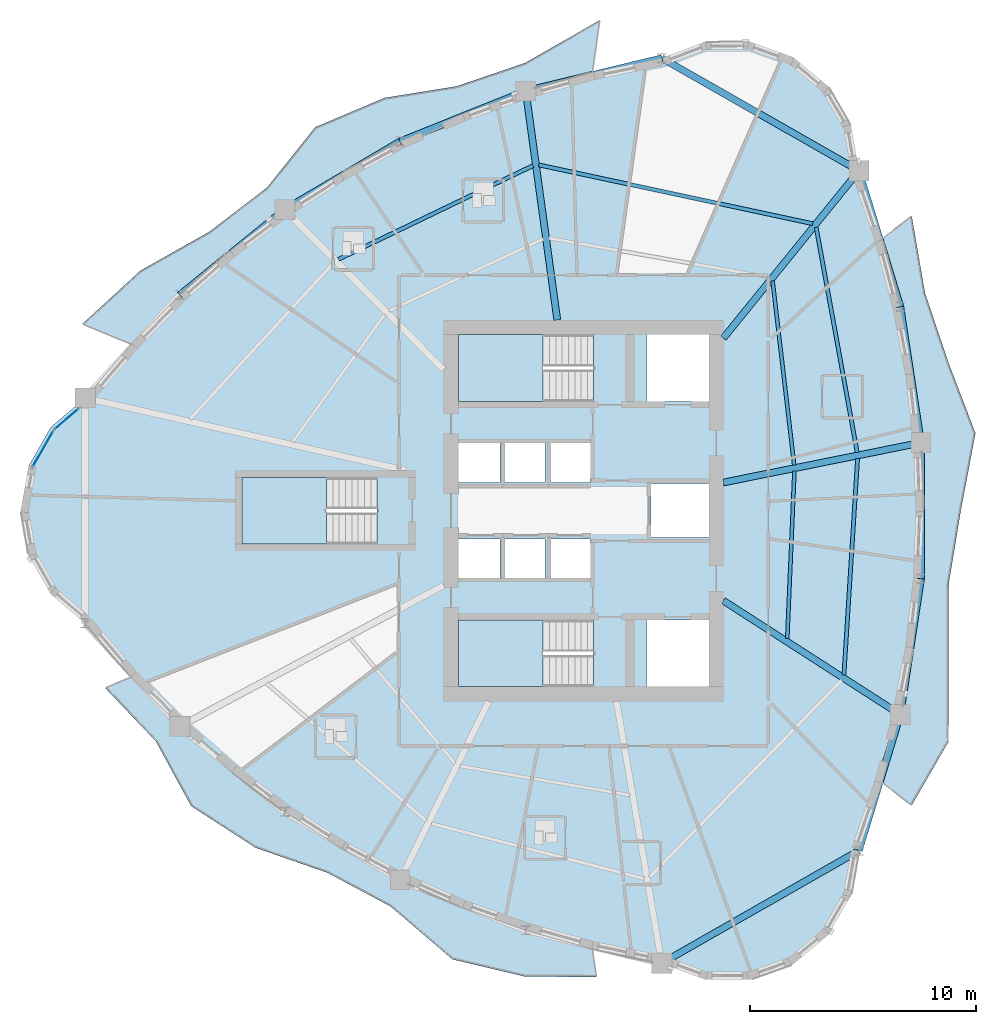
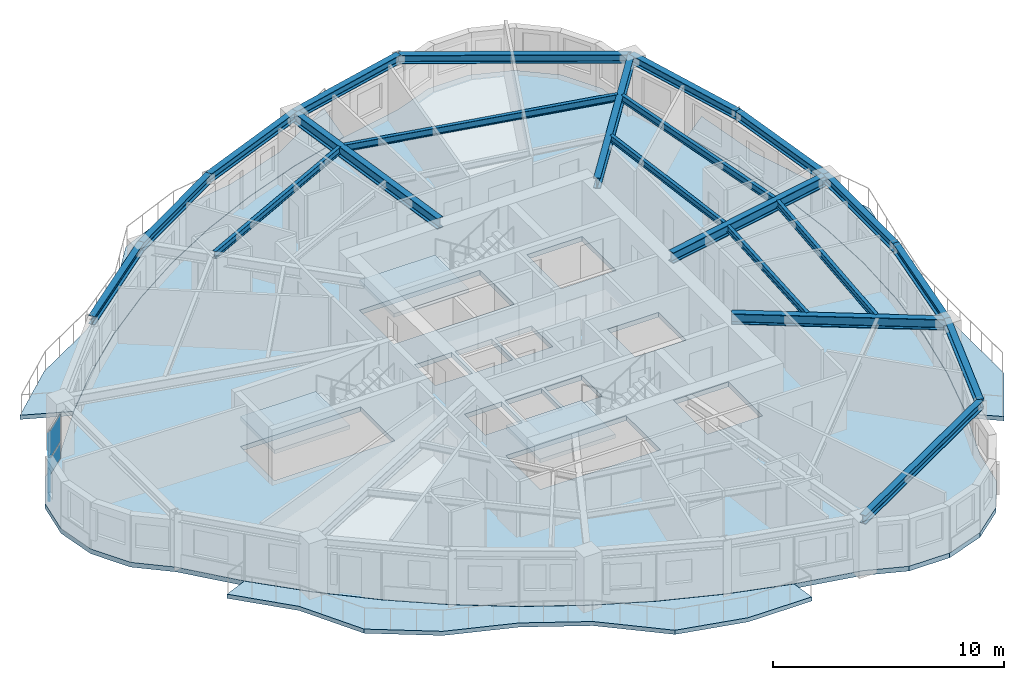
# One storey, part 3 of 14: 21 beams, 7 slabs, 4 plates, 5 elements without a shape of their own.
"""IFC4 building model written with IfcOpenShell, lengths in metres."""

from ifc_helpers import new_model, si_unit, direction, frame, origin, origin_2d, place, context, subcontext, project, spatial, polyline, rectangle, i_section, outline, extrude, source, transform, mapped, material, layer, layer_set, material_profile, profile_set, type_object, element, aggregate, save


model = new_model("IFC4")

# Units and contexts
model_context = context("Model", 3, precision=1e-05, world=origin(), true_north=direction((0.0, 1.0)))
body_context = subcontext(model_context, "Body", "Model", "MODEL_VIEW")
ifc_project = project(units=[si_unit("LENGTHUNIT", "METRE"), si_unit("AREAUNIT", "SQUARE_METRE"), si_unit("VOLUMEUNIT", "CUBIC_METRE"), si_unit("PLANEANGLEUNIT", "RADIAN"), si_unit("MASSUNIT", "GRAM", prefix="KILO")], contexts=[model_context])

# Site, building, storey
site_placement = place(None, origin())
site = spatial("IfcSite", under=ifc_project, at=site_placement, CompositionType="ELEMENT")
building_placement = place(site_placement, origin())
building = spatial("IfcBuilding", under=site, at=building_placement, Name="Qafzar Sky-Pleat Residences", CompositionType="ELEMENT")
storey_placement = place(building_placement, frame((0.0, 0.0, 73.60009765625)))
storey = spatial("IfcBuildingStorey", under=building, at=storey_placement, Name="L21", CompositionType="ELEMENT", Elevation=73.60009765625)

# Beams
ifc_material_1 = material(Name="Steel S355", Category="steel")
ifc_material_profile_1 = material_profile(ifc_material_1, i_section(OverallWidth=0.300048828125, OverallDepth=0.449951171875, WebThickness=0.013916015625, FlangeThickness=0.02587890625, FilletRadius=0.027099609375, at=origin_2d()), Name="HEB 450")
ifc_profile_set_1 = profile_set([ifc_material_profile_1], Name="Steel S355")
beam_type_1 = type_object("IfcBeamType", Name="BM-SPAN-HEB450", PredefinedType="SPANDREL", material=ifc_profile_set_1)
shared_shape_1 = source(origin(), body_context, "Body", "SweptSolid", [
    extrude(i_section(OverallWidth=0.300048828125, OverallDepth=0.449951171875, WebThickness=0.013916015625, FlangeThickness=0.02587890625, FilletRadius=0.027099609375, at=origin_2d()), origin(), (0.0, 0.0, 1.0), 6.002197265625),
])
for number, where, z_axis, x_axis, name in (
    (1, (27.786865234375, 44.60400390625, 2.722900390625), (-0.927979334947, -0.372631659834, 0.0), (0.372631659834, -0.927979334947, 0.0), "L21 Perimeter Spandrel Beam 15"),
    (2, (17.105224609375, 39.354248046875, 2.722900390625), (-0.775354482876, -0.631526266978, 0.0), (0.631526266978, -0.775354482876, 0.0), "L21 Perimeter Spandrel Beam 17"),
):
    element("IfcBeam", number, at=place(storey_placement, frame(where, z_axis=z_axis, x_axis=x_axis)), inside=storey, type_object=beam_type_1, Name=name, PredefinedType="SPANDREL", context=body_context, shape_type="MappedRepresentation", body=[
        mapped(shared_shape_1, transform((0.0, 0.0, 0.0), x_axis=(1.0, 0.0, 0.0), y_axis=(0.0, 1.0, 0.0), z_axis=(0.0, 0.0, 1.0), scale=1.0)),
    ])
shared_shape_2 = source(origin(), body_context, "Body", "SweptSolid", [
    extrude(i_section(OverallWidth=0.300048828125, OverallDepth=0.449951171875, WebThickness=0.013916015625, FlangeThickness=0.02587890625, FilletRadius=0.027099609375, at=origin_2d()), origin(), (0.0, 0.0, 1.0), 5.933837890625),
])
beam_1_placement = place(storey_placement, frame((22.217041015625, 42.367431640625, 2.722900390625), z_axis=(-0.861474825081, -0.507800281362, 0.0), x_axis=(0.507800281362, -0.861474825081, 0.0)))
element("IfcBeam", 3, at=beam_1_placement, inside=storey, type_object=beam_type_1, Name="L21 Perimeter Spandrel Beam 16", PredefinedType="SPANDREL", context=body_context, shape_type="MappedRepresentation", body=[
    mapped(shared_shape_2, transform((0.0, 0.0, 0.0), x_axis=(1.0, 0.0, 0.0), y_axis=(0.0, 1.0, 0.0), z_axis=(0.0, 0.0, 1.0), scale=1.0)),
])
shared_shape_3 = source(origin(), body_context, "Body", "SweptSolid", [
    extrude(i_section(OverallWidth=0.300048828125, OverallDepth=0.449951171875, WebThickness=0.013916015625, FlangeThickness=0.02587890625, FilletRadius=0.027099609375, at=origin_2d()), origin(), (0.0, 0.0, 1.0), 6.201904296875),
])
beam_2_placement = place(storey_placement, frame((33.814697265625, 46.063232421875, 2.722900390625), z_axis=(-0.971926258737, -0.235285672275, 0.0), x_axis=(0.235285672275, -0.971926258737, 0.0)))
element("IfcBeam", 4, at=beam_2_placement, inside=storey, type_object=beam_type_1, Name="L21 Perimeter Spandrel Beam 14", PredefinedType="SPANDREL", context=body_context, shape_type="MappedRepresentation", body=[
    mapped(shared_shape_3, transform((0.0, 0.0, 0.0), x_axis=(1.0, 0.0, 0.0), y_axis=(0.0, 1.0, 0.0), z_axis=(0.0, 0.0, 1.0), scale=1.0)),
])
shared_shape_4 = source(origin(), body_context, "Body", "SweptSolid", [
    extrude(i_section(OverallWidth=0.300048828125, OverallDepth=0.449951171875, WebThickness=0.013916015625, FlangeThickness=0.02587890625, FilletRadius=0.027099609375, at=origin_2d()), origin(), (0.0, 0.0, 1.0), 10.072021484375),
])
for number, where, z_axis, x_axis, name in (
    (5, (33.814697265625, 5.936767578125, 2.722900390625), (0.868286397172, 0.496063234363, 0.0), (-0.496063234363, 0.868286397172, 0.0), "L21 Perimeter Spandrel Beam 7"),
    (6, (42.56005859375, 41.06689453125, 2.722900390625), (-0.868286397172, 0.496063234363, 0.0), (-0.496063234363, -0.868286397172, 0.0), "L21 Perimeter Spandrel Beam 13"),
):
    element("IfcBeam", number, at=place(storey_placement, frame(where, z_axis=z_axis, x_axis=x_axis)), inside=storey, type_object=beam_type_1, Name=name, PredefinedType="SPANDREL", context=body_context, shape_type="MappedRepresentation", body=[
        mapped(shared_shape_4, transform((0.0, 0.0, 0.0), x_axis=(1.0, 0.0, 0.0), y_axis=(0.0, 1.0, 0.0), z_axis=(0.0, 0.0, 1.0), scale=1.0)),
    ])
shared_shape_5 = source(origin(), body_context, "Body", "SweptSolid", [
    extrude(i_section(OverallWidth=0.300048828125, OverallDepth=0.449951171875, WebThickness=0.013916015625, FlangeThickness=0.02587890625, FilletRadius=0.027099609375, at=origin_2d()), origin(), (0.0, 0.0, 1.0), 6.299072265625),
])
for number, where, z_axis, x_axis, name in (
    (7, (42.56005859375, 10.93310546875, 2.722900390625), (0.290837724263, 0.956772396208, 0.0), (-0.956772396208, 0.290837724263, 0.0), "L21 Perimeter Spandrel Beam 8"),
    (8, (44.39208984375, 35.0400390625, 2.722900390625), (-0.290837724263, 0.956772396208, 0.0), (-0.956772396208, -0.290837724263, 0.0), "L21 Perimeter Spandrel Beam 12"),
):
    element("IfcBeam", number, at=place(storey_placement, frame(where, z_axis=z_axis, x_axis=x_axis)), inside=storey, type_object=beam_type_1, Name=name, PredefinedType="SPANDREL", context=body_context, shape_type="MappedRepresentation", body=[
        mapped(shared_shape_5, transform((0.0, 0.0, 0.0), x_axis=(1.0, 0.0, 0.0), y_axis=(0.0, 1.0, 0.0), z_axis=(0.0, 0.0, 1.0), scale=1.0)),
    ])
shared_shape_6 = source(origin(), body_context, "Body", "SweptSolid", [
    extrude(i_section(OverallWidth=0.300048828125, OverallDepth=0.449951171875, WebThickness=0.013916015625, FlangeThickness=0.02587890625, FilletRadius=0.027099609375, at=origin_2d()), origin(), (0.0, 0.0, 1.0), 6.095947265625),
])
for number, where, z_axis, x_axis, name in (
    (9, (44.39208984375, 16.9599609375, 2.722900390625), (0.150269250575, 0.988645109395, 0.0), (-0.988645109395, 0.150269250575, 0.0), "L21 Perimeter Spandrel Beam 9"),
    (10, (45.30810546875, 29.013427734375, 2.722900390625), (-0.150269250575, 0.988645109395, 0.0), (-0.988645109395, -0.150269250575, 0.0), "L21 Perimeter Spandrel Beam 11"),
):
    element("IfcBeam", number, at=place(storey_placement, frame(where, z_axis=z_axis, x_axis=x_axis)), inside=storey, type_object=beam_type_1, Name=name, PredefinedType="SPANDREL", context=body_context, shape_type="MappedRepresentation", body=[
        mapped(shared_shape_6, transform((0.0, 0.0, 0.0), x_axis=(1.0, 0.0, 0.0), y_axis=(0.0, 1.0, 0.0), z_axis=(0.0, 0.0, 1.0), scale=1.0)),
    ])
shared_shape_7 = source(origin(), body_context, "Body", "SweptSolid", [
    extrude(i_section(OverallWidth=0.300048828125, OverallDepth=0.449951171875, WebThickness=0.013916015625, FlangeThickness=0.02587890625, FilletRadius=0.027099609375, at=origin_2d()), origin(), (0.0, 0.0, 1.0), 6.02685546875),
])
beam_3_placement = place(storey_placement, frame((45.30810546875, 22.986572265625, 2.722900390625), z_axis=(0.0, 1.0, 0.0), x_axis=(-1.0, 0.0, 0.0)))
element("IfcBeam", 11, at=beam_3_placement, inside=storey, type_object=beam_type_1, Name="L21 Perimeter Spandrel Beam 10", PredefinedType="SPANDREL", context=body_context, shape_type="MappedRepresentation", body=[
    mapped(shared_shape_7, transform((0.0, 0.0, 0.0), x_axis=(1.0, 0.0, 0.0), y_axis=(0.0, 1.0, 0.0), z_axis=(0.0, 0.0, 1.0), scale=1.0)),
])
ifc_material_profile_2 = material_profile(ifc_material_1, i_section(OverallWidth=0.300048828125, OverallDepth=0.550048828125, WebThickness=0.014892578125, FlangeThickness=0.029052734375, FilletRadius=0.027099609375, at=origin_2d()), Name="HEB 550")
ifc_profile_set_2 = profile_set([ifc_material_profile_2], Name="Steel S355")
beam_type_2 = type_object("IfcBeamType", Name="BM-GIRD-HEB550", PredefinedType="BEAM", material=ifc_profile_set_2)
shared_shape_8 = source(origin(), body_context, "Body", "SweptSolid", [
    extrude(i_section(OverallWidth=0.300048828125, OverallDepth=0.550048828125, WebThickness=0.014892578125, FlangeThickness=0.029052734375, FilletRadius=0.027099609375, at=origin_2d()), origin(), (0.0, 0.0, 1.0), 9.32666015625),
])
beam_4_placement = place(storey_placement, frame((44.39208984375, 16.9599609375, 2.6728515625), z_axis=(-0.840823632468, 0.541309171439, 0.0), x_axis=(-0.541309171439, -0.840823632468, 0.0)))
element("IfcBeam", 12, at=beam_4_placement, inside=storey, type_object=beam_type_2, Name="L21 Radial Floor Girder 9", PredefinedType="BEAM", context=body_context, shape_type="MappedRepresentation", body=[
    mapped(shared_shape_8, transform((0.0, 0.0, 0.0), x_axis=(1.0, 0.0, 0.0), y_axis=(0.0, 1.0, 0.0), z_axis=(0.0, 0.0, 1.0), scale=1.0)),
])
shared_shape_9 = source(origin(), body_context, "Body", "SweptSolid", [
    extrude(i_section(OverallWidth=0.300048828125, OverallDepth=0.550048828125, WebThickness=0.014892578125, FlangeThickness=0.029052734375, FilletRadius=0.027099609375, at=origin_2d()), origin(), (0.0, 0.0, 1.0), 8.93408203125),
])
beam_5_placement = place(storey_placement, frame((45.30810546875, 29.013427734375, 2.6728515625), z_axis=(-0.980304336159, -0.197492806217, 0.0), x_axis=(0.197492806217, -0.980304336159, 0.0)))
element("IfcBeam", 13, at=beam_5_placement, inside=storey, type_object=beam_type_2, Name="L21 Radial Floor Girder 11", PredefinedType="BEAM", context=body_context, shape_type="MappedRepresentation", body=[
    mapped(shared_shape_9, transform((0.0, 0.0, 0.0), x_axis=(1.0, 0.0, 0.0), y_axis=(0.0, 1.0, 0.0), z_axis=(0.0, 0.0, 1.0), scale=1.0)),
])
shared_shape_10 = source(origin(), body_context, "Body", "SweptSolid", [
    extrude(i_section(OverallWidth=0.300048828125, OverallDepth=0.550048828125, WebThickness=0.014892578125, FlangeThickness=0.029052734375, FilletRadius=0.027099609375, at=origin_2d()), origin(), (0.0, 0.0, 1.0), 9.545654296875),
])
beam_6_placement = place(storey_placement, frame((42.56005859375, 41.06689453125, 2.6728515625), z_axis=(-0.629601331926, -0.776918375916, 0.0), x_axis=(0.776918375916, -0.629601331926, 0.0)))
element("IfcBeam", 14, at=beam_6_placement, inside=storey, type_object=beam_type_2, Name="L21 Radial Floor Girder 13", PredefinedType="BEAM", context=body_context, shape_type="MappedRepresentation", body=[
    mapped(shared_shape_10, transform((0.0, 0.0, 0.0), x_axis=(1.0, 0.0, 0.0), y_axis=(0.0, 1.0, 0.0), z_axis=(0.0, 0.0, 1.0), scale=1.0)),
])
shared_shape_11 = source(origin(), body_context, "Body", "SweptSolid", [
    extrude(i_section(OverallWidth=0.300048828125, OverallDepth=0.550048828125, WebThickness=0.014892578125, FlangeThickness=0.029052734375, FilletRadius=0.027099609375, at=origin_2d()), origin(), (0.0, 0.0, 1.0), 10.25),
])
beam_7_placement = place(storey_placement, frame((27.786865234375, 44.60400390625, 2.6728515625), z_axis=(0.136481031504, -0.990642684342, 0.0), x_axis=(0.990642684342, 0.136481031504, 0.0)))
element("IfcBeam", 15, at=beam_7_placement, inside=storey, type_object=beam_type_2, Name="L21 Radial Floor Girder 15", PredefinedType="BEAM", context=body_context, shape_type="MappedRepresentation", body=[
    mapped(shared_shape_11, transform((0.0, 0.0, 0.0), x_axis=(1.0, 0.0, 0.0), y_axis=(0.0, 1.0, 0.0), z_axis=(0.0, 0.0, 1.0), scale=1.0)),
])
ifc_material_profile_3 = material_profile(ifc_material_1, i_section(OverallWidth=0.169921875, OverallDepth=0.360107421875, WebThickness=0.008056640625, FlangeThickness=0.0126953125, FilletRadius=0.01806640625, at=origin_2d()), Name="IPE 360")
ifc_profile_set_3 = profile_set([ifc_material_profile_3], Name="Steel S355")
beam_type_3 = type_object("IfcBeamType", Name="BM-JST-IPE360", PredefinedType="JOIST", material=ifc_profile_set_3)
shared_shape_12 = source(origin(), body_context, "Body", "SweptSolid", [
    extrude(i_section(OverallWidth=0.169921875, OverallDepth=0.360107421875, WebThickness=0.008056640625, FlangeThickness=0.0126953125, FilletRadius=0.01806640625, at=origin_2d()), origin(), (0.0, 0.0, 1.0), 9.623046875),
])
beam_8_placement = place(storey_placement, frame((41.89111328125, 18.710205078125, 2.767822265625), z_axis=(0.062968997663, 0.998015483514, 0.0), x_axis=(-0.998015483514, 0.062968997663, 0.0)))
element("IfcBeam", 16, at=beam_8_placement, inside=storey, type_object=beam_type_3, Name="L21 Outer Secondary Floor Joist 5", PredefinedType="JOIST", context=body_context, shape_type="MappedRepresentation", body=[
    mapped(shared_shape_12, transform((0.0, 0.0, 0.0), x_axis=(1.0, 0.0, 0.0), y_axis=(0.0, 1.0, 0.0), z_axis=(0.0, 0.0, 1.0), scale=1.0)),
])
shared_shape_13 = source(origin(), body_context, "Body", "SweptSolid", [
    extrude(i_section(OverallWidth=0.169921875, OverallDepth=0.360107421875, WebThickness=0.008056640625, FlangeThickness=0.0126953125, FilletRadius=0.01806640625, at=origin_2d()), origin(), (0.0, 0.0, 1.0), 10.14404296875),
])
beam_9_placement = place(storey_placement, frame((42.4814453125, 28.58154296875, 2.767822265625), z_axis=(-0.179472078166, 0.983763067592, 0.0), x_axis=(-0.983763067592, -0.179472078166, 0.0)))
element("IfcBeam", 17, at=beam_9_placement, inside=storey, type_object=beam_type_3, Name="L21 Outer Secondary Floor Joist 6", PredefinedType="JOIST", context=body_context, shape_type="MappedRepresentation", body=[
    mapped(shared_shape_13, transform((0.0, 0.0, 0.0), x_axis=(1.0, 0.0, 0.0), y_axis=(0.0, 1.0, 0.0), z_axis=(0.0, 0.0, 1.0), scale=1.0)),
])
shared_shape_14 = source(origin(), body_context, "Body", "SweptSolid", [
    extrude(i_section(OverallWidth=0.169921875, OverallDepth=0.360107421875, WebThickness=0.008056640625, FlangeThickness=0.0126953125, FilletRadius=0.01806640625, at=origin_2d()), origin(), (0.0, 0.0, 1.0), 12.414794921875),
])
beam_10_placement = place(storey_placement, frame((40.5048828125, 38.721923828125, 2.767822265625), z_axis=(-0.977746260542, 0.209790967386, 0.0), x_axis=(-0.209790967386, -0.977746260542, 0.0)))
element("IfcBeam", 18, at=beam_10_placement, inside=storey, type_object=beam_type_3, Name="L21 Outer Secondary Floor Joist 7", PredefinedType="JOIST", context=body_context, shape_type="MappedRepresentation", body=[
    mapped(shared_shape_14, transform((0.0, 0.0, 0.0), x_axis=(1.0, 0.0, 0.0), y_axis=(0.0, 1.0, 0.0), z_axis=(0.0, 0.0, 1.0), scale=1.0)),
])
shared_shape_15 = source(origin(), body_context, "Body", "SweptSolid", [
    extrude(i_section(OverallWidth=0.169921875, OverallDepth=0.360107421875, WebThickness=0.008056640625, FlangeThickness=0.0126953125, FilletRadius=0.01806640625, at=origin_2d()), origin(), (0.0, 0.0, 1.0), 9.580078125),
])
beam_11_placement = place(storey_placement, frame((28.11279296875, 41.296142578125, 2.767822265625), z_axis=(-0.900989494941, -0.433840904027, 0.0), x_axis=(0.433840904027, -0.900989494941, 0.0)))
element("IfcBeam", 19, at=beam_11_placement, inside=storey, type_object=beam_type_3, Name="L21 Outer Secondary Floor Joist 8", PredefinedType="JOIST", context=body_context, shape_type="MappedRepresentation", body=[
    mapped(shared_shape_15, transform((0.0, 0.0, 0.0), x_axis=(1.0, 0.0, 0.0), y_axis=(0.0, 1.0, 0.0), z_axis=(0.0, 0.0, 1.0), scale=1.0)),
])
ifc_material_profile_4 = material_profile(ifc_material_1, i_section(OverallWidth=0.159912109375, OverallDepth=0.330078125, WebThickness=0.007568359375, FlangeThickness=0.011474609375, FilletRadius=0.01806640625, at=origin_2d()), Name="IPE 330")
ifc_profile_set_4 = profile_set([ifc_material_profile_4], Name="Steel S355")
beam_type_4 = type_object("IfcBeamType", Name="BM-JST-IPE330", PredefinedType="JOIST", material=ifc_profile_set_4)
shared_shape_16 = source(origin(), body_context, "Body", "SweptSolid", [
    extrude(i_section(OverallWidth=0.159912109375, OverallDepth=0.330078125, WebThickness=0.007568359375, FlangeThickness=0.011474609375, FilletRadius=0.01806640625, at=origin_2d()), origin(), (0.0, 0.0, 1.0), 7.43017578125),
])
beam_12_placement = place(storey_placement, frame((39.37890625, 20.325927734375, 2.782958984375), z_axis=(0.042846887856, 0.999081650418, 0.0), x_axis=(-0.999081650418, 0.042846887856, 0.0)))
element("IfcBeam", 20, at=beam_12_placement, inside=storey, type_object=beam_type_4, Name="L21 Inner Secondary Floor Joist 5", PredefinedType="JOIST", context=body_context, shape_type="MappedRepresentation", body=[
    mapped(shared_shape_16, transform((0.0, 0.0, 0.0), x_axis=(1.0, 0.0, 0.0), y_axis=(0.0, 1.0, 0.0), z_axis=(0.0, 0.0, 1.0), scale=1.0)),
])
shared_shape_17 = source(origin(), body_context, "Body", "SweptSolid", [
    extrude(i_section(OverallWidth=0.159912109375, OverallDepth=0.330078125, WebThickness=0.007568359375, FlangeThickness=0.011474609375, FilletRadius=0.01806640625, at=origin_2d()), origin(), (0.0, 0.0, 1.0), 8.223876953125),
])
beam_13_placement = place(storey_placement, frame((39.687255859375, 28.018310546875, 2.782958984375), z_axis=(-0.116489865453, 0.993191880377, 0.0), x_axis=(-0.993191880377, -0.116489865453, 0.0)))
element("IfcBeam", 21, at=beam_13_placement, inside=storey, type_object=beam_type_4, Name="L21 Inner Secondary Floor Joist 6", PredefinedType="JOIST", context=body_context, shape_type="MappedRepresentation", body=[
    mapped(shared_shape_17, transform((0.0, 0.0, 0.0), x_axis=(1.0, 0.0, 0.0), y_axis=(0.0, 1.0, 0.0), z_axis=(0.0, 0.0, 1.0), scale=1.0)),
])

# Slabs
ifc_material_2 = material(Name="Concrete C40/50", Category="concrete")
ifc_layer_1 = layer(ifc_material_2, 0.219970703125)
ifc_layer_set_1 = layer_set([ifc_layer_1], Name="Concrete C40/50")
slab_type_1 = type_object("IfcSlabType", Name="SLAB-BAL-220", PredefinedType="USERDEFINED", material=ifc_layer_set_1)
slab_1_placement = place(storey_placement, frame((0.0, 0.0, -0.22021484375)))
element("IfcSlab", 22, at=slab_1_placement, inside=storey, type_object=slab_type_1, Name="L21 Pleated Stone Balcony 1", ObjectType="BALCONY", PredefinedType="USERDEFINED", context=body_context, shape_type="SweptSolid", body=[
    extrude(outline(polyline([(44.402587890625, 16.9541015625), (44.97607421875, 19.96923828125), (45.320068359375, 22.984619140625), (45.434814453125, 26.0), (45.320068359375, 29.015380859375), (44.97607421875, 32.03076171875), (44.402587890625, 35.0458984375), (43.60009765625, 38.060791015625), (44.89599609375, 39.062744140625), (45.48681640625, 35.643798828125), (46.51953125, 32.5791015625), (47.721923828125, 29.43359375), (47.07275390625, 26.0), (46.539794921875, 22.772216796875), (46.51953125, 19.4208984375), (46.53759765625, 15.776611328125), (44.89599609375, 12.937255859375), (43.60009765625, 13.939208984375), (44.402587890625, 16.9541015625)])), origin(), (0.0, 0.0, 1.0), 0.22021484375),
])
slab_2_placement = place(storey_placement, frame((0.0, 0.0, -0.22021484375)))
element("IfcSlab", 23, at=slab_2_placement, inside=storey, type_object=slab_type_1, Name="L21 Pleated Stone Balcony 2", ObjectType="BALCONY", PredefinedType="USERDEFINED", context=body_context, shape_type="SweptSolid", body=[
    extrude(outline(polyline([(27.78662109375, 44.615966796875), (24.9423828125, 43.594482421875), (22.212890625, 42.37890625), (19.597900390625, 40.968505859375), (17.09765625, 39.363525390625), (14.7119140625, 37.56396484375), (12.44140625, 35.570068359375), (10.285400390625, 33.3818359375), (8.1337890625, 34.278564453125), (10.705322265625, 36.6376953125), (13.7783203125, 38.376708984375), (16.31494140625, 40.32275390625), (18.457275390625, 43.0009765625), (21.5341796875, 44.30029296875), (24.730712890625, 44.814208984375), (27.7724609375, 45.853759765625), (31.07080078125, 47.75048828125), (30.7451171875, 45.442626953125), (27.78662109375, 44.615966796875)])), origin(), (0.0, 0.0, 1.0), 0.22021484375),
])
slab_3_placement = place(storey_placement, frame((0.0, 0.0, -0.22021484375)))
element("IfcSlab", 24, at=slab_3_placement, inside=storey, type_object=slab_type_1, Name="L21 Pleated Stone Balcony 3", ObjectType="BALCONY", PredefinedType="USERDEFINED", context=body_context, shape_type="SweptSolid", body=[
    extrude(outline(polyline([(12.44140625, 16.429931640625), (14.7119140625, 14.43603515625), (17.09765625, 12.636474609375), (19.597900390625, 11.031494140625), (22.212890625, 9.62109375), (24.9423828125, 8.405517578125), (27.78662109375, 7.384033203125), (30.7451171875, 6.557373046875), (30.918212890625, 5.33154296875), (27.76318359375, 5.34619140625), (24.54345703125, 6.10888671875), (21.800537109375, 8.453857421875), (18.9921875, 9.951904296875), (15.809326171875, 11.057373046875), (12.953857421875, 12.906005859375), (11.38671875, 15.78125), (9.142578125, 18.141845703125), (10.285400390625, 18.6181640625), (12.44140625, 16.429931640625)])), origin(), (0.0, 0.0, 1.0), 0.22021484375),
])
ifc_layer_2 = layer(ifc_material_2, 0.25)
ifc_layer_set_2 = layer_set([ifc_layer_2], Name="Concrete C40/50")
slab_type_2 = type_object("IfcSlabType", Name="SLAB-FLR-250", PredefinedType="FLOOR", material=ifc_layer_set_2)
slab_4_placement = place(storey_placement, frame((0.0, 0.0, -0.25)))
element("IfcSlab", 25, at=slab_4_placement, inside=storey, type_object=slab_type_2, Name="L21 Structural Floor Slab", PredefinedType="FLOOR", context=body_context, shape_type="SweptSolid", body=[
    extrude(outline(polyline([(8.255859375, 30.99658203125), (6.735595703125, 29.701416015625), (5.7451171875, 27.96728515625), (5.401123046875, 26.0), (5.7451171875, 24.03271484375), (6.735595703125, 22.298583984375), (8.255859375, 21.00341796875), (10.29638671875, 18.622802734375), (12.451416015625, 16.436279296875), (14.72119140625, 14.44384765625), (17.105224609375, 12.645751953125), (19.60400390625, 11.0419921875), (22.217041015625, 9.632568359375), (24.944580078125, 8.417236328125), (27.786865234375, 7.39599609375), (30.743408203125, 6.5693359375), (33.814697265625, 5.936767578125), (35.709716796875, 5.22900390625), (37.732666015625, 5.21533203125), (39.63720703125, 5.897216796875), (41.19189453125, 7.191650390625), (42.207275390625, 8.941162109375), (42.56005859375, 10.93310546875), (43.590576171875, 13.946533203125), (44.39208984375, 16.9599609375), (44.964599609375, 19.973388671875), (45.30810546875, 22.986572265625), (45.422607421875, 26.0), (45.30810546875, 29.013427734375), (44.964599609375, 32.026611328125), (44.39208984375, 35.0400390625), (43.590576171875, 38.053466796875), (42.56005859375, 41.06689453125), (42.207275390625, 43.058837890625), (41.19189453125, 44.808349609375), (39.63720703125, 46.102783203125), (37.732666015625, 46.78466796875), (35.709716796875, 46.77099609375), (33.814697265625, 46.063232421875), (30.743408203125, 45.4306640625), (27.786865234375, 44.60400390625), (24.944580078125, 43.582763671875), (22.217041015625, 42.367431640625), (19.60400390625, 40.9580078125), (17.105224609375, 39.354248046875), (14.72119140625, 37.55615234375), (12.451416015625, 35.563720703125), (10.29638671875, 33.377197265625), (8.255859375, 30.99658203125)]), holes=[polyline([(30.797119140625, 21.14990234375), (24.800048828125, 21.14990234375), (24.800048828125, 18.199951171875), (30.797119140625, 18.199951171875), (30.797119140625, 21.14990234375)]), polyline([(30.797119140625, 33.800048828125), (24.800048828125, 33.800048828125), (24.800048828125, 30.85009765625), (30.797119140625, 30.85009765625), (30.797119140625, 33.800048828125)]), polyline([(21.197021484375, 27.47509765625), (15.199951171875, 27.47509765625), (15.199951171875, 24.52490234375), (21.197021484375, 24.52490234375), (21.197021484375, 27.47509765625)]), polyline([(24.800048828125, 22.949951171875), (26.64990234375, 22.949951171875), (26.64990234375, 24.75), (24.800048828125, 24.75), (24.800048828125, 22.949951171875)]), polyline([(26.800048828125, 22.949951171875), (28.64990234375, 22.949951171875), (28.64990234375, 24.75), (26.800048828125, 24.75), (26.800048828125, 22.949951171875)]), polyline([(28.800048828125, 22.949951171875), (30.64990234375, 22.949951171875), (30.64990234375, 24.75), (28.800048828125, 24.75), (28.800048828125, 22.949951171875)]), polyline([(24.800048828125, 27.25), (26.64990234375, 27.25), (26.64990234375, 29.050048828125), (24.800048828125, 29.050048828125), (24.800048828125, 27.25)]), polyline([(26.800048828125, 27.25), (28.64990234375, 27.25), (28.64990234375, 29.050048828125), (26.800048828125, 29.050048828125), (26.800048828125, 27.25)]), polyline([(28.800048828125, 27.25), (30.64990234375, 27.25), (30.64990234375, 29.050048828125), (28.800048828125, 29.050048828125), (28.800048828125, 27.25)]), polyline([(33.14990234375, 18.199951171875), (35.89990234375, 18.199951171875), (35.89990234375, 21.14990234375), (33.14990234375, 21.14990234375), (33.14990234375, 18.199951171875)]), polyline([(33.14990234375, 30.85009765625), (35.89990234375, 30.85009765625), (35.89990234375, 33.800048828125), (33.14990234375, 33.800048828125), (33.14990234375, 30.85009765625)]), polyline([(33.35009765625, 24.800048828125), (35.89990234375, 24.800048828125), (35.89990234375, 27.199951171875), (33.35009765625, 27.199951171875), (33.35009765625, 24.800048828125)])]), origin(), (0.0, 0.0, 1.0), 0.25),
])

# Stair, slab
stair_type = type_object("IfcStairType", Name="STAIR-H320", PredefinedType="HALF_TURN_STAIR", material=ifc_material_2)
stair_1_placement = place(storey_placement, origin())
stair_1 = element("IfcStair", 26, at=stair_1_placement, inside=storey, type_object=stair_type, Name="L21 Protected Exit Stair ST1", PredefinedType="HALF_TURN_STAIR")
ifc_layer_3 = layer(ifc_material_2, 0.199951171875)
ifc_layer_set_3 = layer_set([ifc_layer_3], Name="Concrete C40/50")
slab_type_3 = type_object("IfcSlabType", Name="SLAB-LANDING-200", PredefinedType="LANDING", material=ifc_layer_set_3)
slab_5_placement = place(storey_placement, frame((0.0, 0.0, 1.39990234375)))
slab_5 = element("IfcSlab", 27, at=slab_5_placement, type_object=slab_type_3, Name="ST1 landing 1", PredefinedType="LANDING", context=body_context, shape_type="SweptSolid", body=[
    extrude(outline(polyline([(28.56005859375, 21.14990234375), (24.800048828125, 21.14990234375), (24.800048828125, 18.199951171875), (28.56005859375, 18.199951171875), (28.56005859375, 21.14990234375)])), origin(), (0.0, 0.0, 1.0), 0.199951171875),
])
aggregate(stair_1, [slab_5])

stair_2_placement = place(storey_placement, origin())
stair_2 = element("IfcStair", 28, at=stair_2_placement, inside=storey, type_object=stair_type, Name="L21 Protected Exit Stair ST2", PredefinedType="HALF_TURN_STAIR")
slab_6_placement = place(storey_placement, frame((0.0, 0.0, 1.39990234375)))
slab_6 = element("IfcSlab", 29, at=slab_6_placement, type_object=slab_type_3, Name="ST2 landing 1", PredefinedType="LANDING", context=body_context, shape_type="SweptSolid", body=[
    extrude(outline(polyline([(28.56005859375, 33.800048828125), (24.800048828125, 33.800048828125), (24.800048828125, 30.85009765625), (28.56005859375, 30.85009765625), (28.56005859375, 33.800048828125)])), origin(), (0.0, 0.0, 1.0), 0.199951171875),
])
aggregate(stair_2, [slab_6])

stair_3_placement = place(storey_placement, origin())
stair_3 = element("IfcStair", 30, at=stair_3_placement, inside=storey, type_object=stair_type, Name="L21 Protected Exit Stair ST3", PredefinedType="HALF_TURN_STAIR")
slab_7_placement = place(storey_placement, frame((0.0, 0.0, 1.39990234375)))
slab_7 = element("IfcSlab", 31, at=slab_7_placement, type_object=slab_type_3, Name="ST3 landing 1", PredefinedType="LANDING", context=body_context, shape_type="SweptSolid", body=[
    extrude(outline(polyline([(18.9599609375, 27.47509765625), (15.199951171875, 27.47509765625), (15.199951171875, 24.52490234375), (18.9599609375, 24.52490234375), (18.9599609375, 27.47509765625)])), origin(), (0.0, 0.0, 1.0), 0.199951171875),
])
aggregate(stair_3, [slab_7])

# Curtain wall, plates
ifc_material_3 = material(Name="Anodised bronze aluminium framing", Category="aluminium")
ifc_layer_4 = layer(ifc_material_3, 0.199951171875)
ifc_layer_set_4 = layer_set([ifc_layer_4], Name="Anodised bronze aluminium framing")
curtain_wall_type = type_object("IfcCurtainWallType", Name="CW-SYS-04", PredefinedType="NOTDEFINED", material=ifc_layer_set_4)
curtain_wall_1_placement = place(storey_placement, origin())
curtain_wall_1 = element("IfcCurtainWall", 32, at=curtain_wall_1_placement, inside=storey, type_object=curtain_wall_type, Name="L21 CW-04 Curtain Wall CW-L21-WG-03", PredefinedType="NOTDEFINED")
ifc_material_4 = material(Name="Solar-control double low-E glazing", Category="glass")
ifc_layer_5 = layer(ifc_material_4, 0.028076171875)
ifc_layer_set_5 = layer_set([ifc_layer_5], Name="Solar-control double low-E glazing")
plate_type = type_object("IfcPlateType", Name="CWP-04", PredefinedType="CURTAIN_PANEL", material=ifc_layer_set_5)
shared_shape_18 = source(origin(), body_context, "Body", "SweptSolid", [
    extrude(rectangle(XDim=1.376953125, YDim=0.028076171875, at=origin_2d()), origin(), (0.0, 0.0, 1.0), 0.844970703125),
])
plate_1_placement = place(storey_placement, frame((7.43798828125, 30.06982421875, 0.06494140625), z_axis=(0.0, 0.0, 1.0), x_axis=(-0.761164368314, -0.648559021531, 0.0)))
plate_1 = element("IfcPlate", 33, at=plate_1_placement, type_object=plate_type, Name="CW-04 panel 1.1", PredefinedType="CURTAIN_PANEL", context=body_context, shape_type="MappedRepresentation", body=[
    mapped(shared_shape_18, transform((0.0, 0.0, 0.0), x_axis=(1.0, 0.0, 0.0), y_axis=(0.0, 1.0, 0.0), z_axis=(0.0, 0.0, 1.0), scale=1.0)),
])
shared_shape_19 = source(origin(), body_context, "Body", "SweptSolid", [
    extrude(rectangle(XDim=1.376953125, YDim=0.028076171875, at=origin_2d()), origin(), (0.0, 0.0, 1.0), 1.440185546875),
])
plate_2_placement = place(storey_placement, frame((7.43798828125, 30.06982421875, 0.974609375), z_axis=(0.0, 0.0, 1.0), x_axis=(-0.761164368314, -0.648559021531, 0.0)))
plate_2 = element("IfcPlate", 34, at=plate_2_placement, type_object=plate_type, Name="CW-04 panel 1.2", PredefinedType="CURTAIN_PANEL", context=body_context, shape_type="MappedRepresentation", body=[
    mapped(shared_shape_19, transform((0.0, 0.0, 0.0), x_axis=(1.0, 0.0, 0.0), y_axis=(0.0, 1.0, 0.0), z_axis=(0.0, 0.0, 1.0), scale=1.0)),
])
aggregate(curtain_wall_1, [plate_1, plate_2])

curtain_wall_2_placement = place(storey_placement, origin())
curtain_wall_2 = element("IfcCurtainWall", 35, at=curtain_wall_2_placement, inside=storey, type_object=curtain_wall_type, Name="L21 CW-04 Curtain Wall CW-L21-WG-04", PredefinedType="NOTDEFINED")
shared_shape_20 = source(origin(), body_context, "Body", "SweptSolid", [
    extrude(rectangle(XDim=1.8271484375, YDim=0.028076171875, at=origin_2d()), origin(), (0.0, 0.0, 1.0), 0.844970703125),
])
plate_3_placement = place(storey_placement, frame((6.392333984375, 28.74755859375, 0.06494140625), z_axis=(0.0, 0.0, 1.0), x_axis=(-0.496050891528, -0.868293448676, 0.0)))
plate_3 = element("IfcPlate", 36, at=plate_3_placement, type_object=plate_type, Name="CW-04 panel 1.1", PredefinedType="CURTAIN_PANEL", context=body_context, shape_type="MappedRepresentation", body=[
    mapped(shared_shape_20, transform((0.0, 0.0, 0.0), x_axis=(1.0, 0.0, 0.0), y_axis=(0.0, 1.0, 0.0), z_axis=(0.0, 0.0, 1.0), scale=1.0)),
])
shared_shape_21 = source(origin(), body_context, "Body", "SweptSolid", [
    extrude(rectangle(XDim=1.8271484375, YDim=0.028076171875, at=origin_2d()), origin(), (0.0, 0.0, 1.0), 1.440185546875),
])
plate_4_placement = place(storey_placement, frame((6.392333984375, 28.74755859375, 0.974609375), z_axis=(0.0, 0.0, 1.0), x_axis=(-0.496050891528, -0.868293448676, 0.0)))
plate_4 = element("IfcPlate", 37, at=plate_4_placement, type_object=plate_type, Name="CW-04 panel 1.2", PredefinedType="CURTAIN_PANEL", context=body_context, shape_type="MappedRepresentation", body=[
    mapped(shared_shape_21, transform((0.0, 0.0, 0.0), x_axis=(1.0, 0.0, 0.0), y_axis=(0.0, 1.0, 0.0), z_axis=(0.0, 0.0, 1.0), scale=1.0)),
])
aggregate(curtain_wall_2, [plate_3, plate_4])

save(model, "model.ifc")
